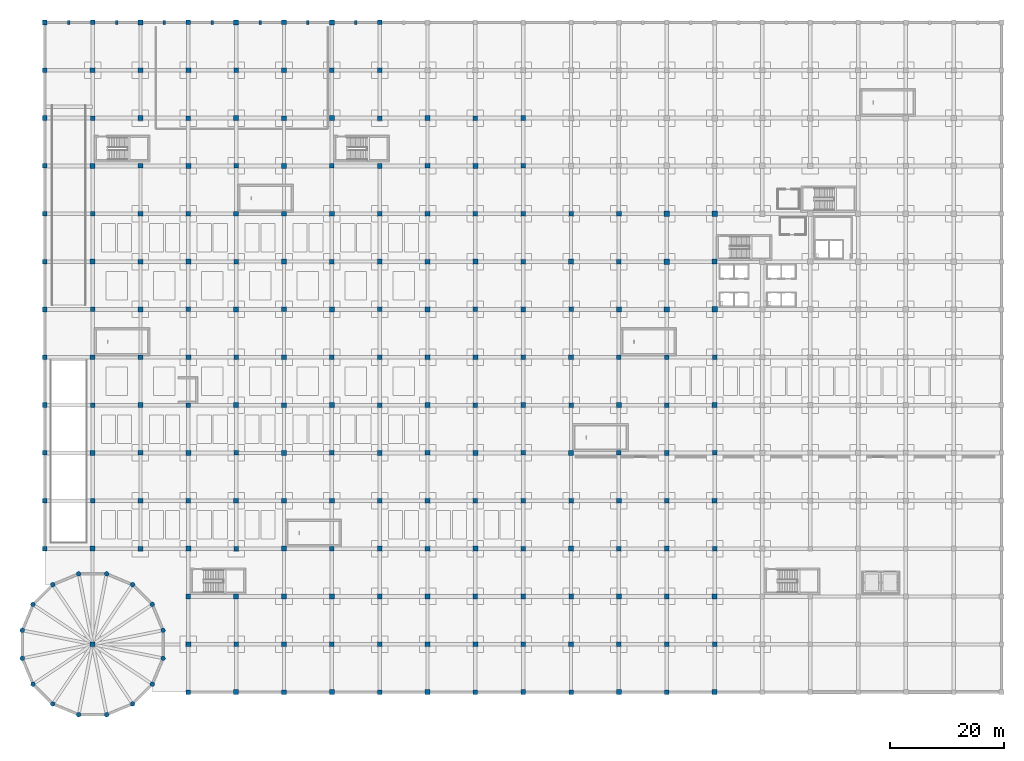
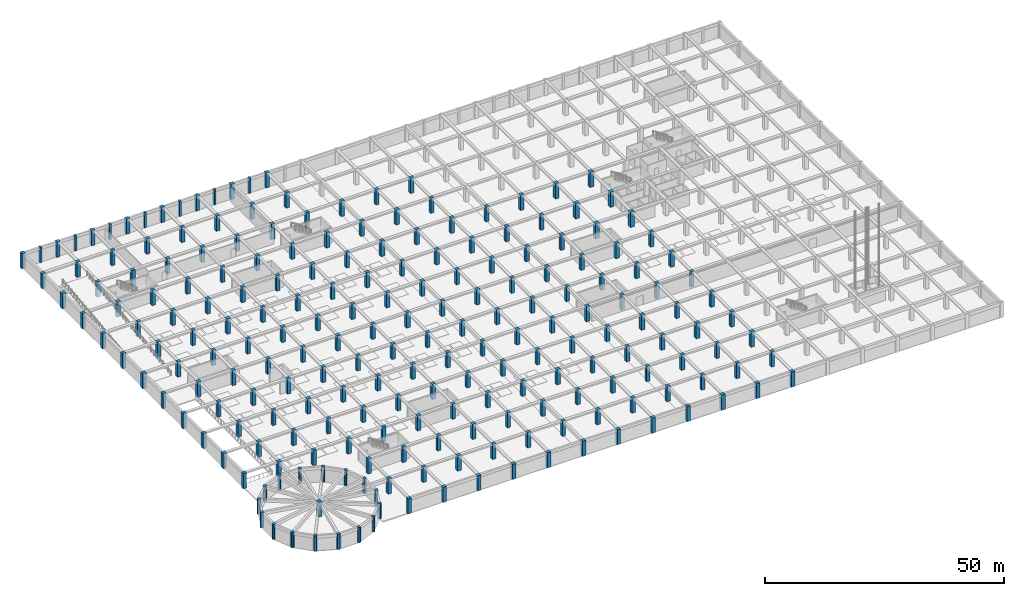
# One storey, part 1 of 32: 218 columns.
"""IFC4 building model written with IfcOpenShell, lengths in metres."""

from ifc_helpers import new_model, si_unit, direction, frame, origin, origin_2d, place, context, subcontext, project, spatial, rectangle, circle, extrude, material, material_profile, profile_set, type_object, element, save


model = new_model("IFC4")

# Units and contexts
model_context = context("Model", 3, precision=1e-05, world=origin(), true_north=direction((0.0, 1.0)))
body_context = subcontext(model_context, "Body", "Model", "MODEL_VIEW")
ifc_project = project(units=[si_unit("LENGTHUNIT", "METRE"), si_unit("AREAUNIT", "SQUARE_METRE"), si_unit("VOLUMEUNIT", "CUBIC_METRE"), si_unit("PLANEANGLEUNIT", "RADIAN"), si_unit("MASSUNIT", "GRAM", prefix="KILO")], contexts=[model_context])

# Site, building, storey
site_placement = place(None, origin())
site = spatial("IfcSite", under=ifc_project, at=site_placement, CompositionType="ELEMENT")
building_placement = place(site_placement, origin())
building = spatial("IfcBuilding", under=site, at=building_placement, Name="Almacenes y Pasaje Nevantli", CompositionType="ELEMENT")
storey_placement = place(building_placement, frame((0.0, 0.0, -4.199951171875)))
storey = spatial("IfcBuildingStorey", under=building, at=storey_placement, Name="B01", CompositionType="ELEMENT", Elevation=-4.199951171875)

# Columns
ifc_material_1 = material(Name="Concrete C45/55", Category="concrete")
ifc_material_profile_1 = material_profile(ifc_material_1, rectangle(XDim=0.800048828125, YDim=0.800048828125, at=origin_2d()), Name="RC-COL-800x800")
ifc_profile_set_1 = profile_set([ifc_material_profile_1], Name="Concrete C45/55")
column_type_1 = type_object("IfcColumnType", Name="COL-RC-800", PredefinedType="COLUMN", material=ifc_profile_set_1)
for number, where, z_axis, x_axis, name in (
    (1, (0.0, 25.199951171875, 0.0), (0.0, 0.0, 1.0), (1.0, 0.0, 0.0), "B01 Reinforced Concrete Column CL-04 #341"),
    (2, (0.0, 42.0, 0.0), (0.0, 0.0, 1.0), (1.0, 0.0, 0.0), "B01 Reinforced Concrete Column CL-04 #343"),
    (3, (0.0, 58.800048828125, 0.0), (0.0, 0.0, 1.0), (1.0, 0.0, 0.0), "B01 Reinforced Concrete Column CL-04 #345"),
    (4, (0.0, 75.60009765625, 0.0), (0.0, 0.0, 1.0), (1.0, 0.0, 0.0), "B01 Reinforced Concrete Column CL-04 #347"),
    (5, (0.0, 92.39990234375, 0.0), (0.0, 0.0, 1.0), (1.0, 0.0, 0.0), "B01 Reinforced Concrete Column CL-04 #349"),
    (6, (0.0, 109.199951171875, 0.0), (0.0, 0.0, 1.0), (1.0, 0.0, 0.0), "B01 Reinforced Concrete Column CL-04 #351"),
    (7, (8.39990234375, 33.60009765625, 0.0), (0.0, 0.0, 1.0), (1.0, 0.0, 0.0), "B01 Reinforced Concrete Column CL-04 #355"),
    (8, (8.39990234375, 50.39990234375, 0.0), (0.0, 0.0, 1.0), (1.0, 0.0, 0.0), "B01 Reinforced Concrete Column CL-04 #357"),
    (9, (8.39990234375, 67.199951171875, 0.0), (0.0, 0.0, 1.0), (1.0, 0.0, 0.0), "B01 Reinforced Concrete Column CL-04 #359"),
    (10, (8.39990234375, 84.0, 0.0), (0.0, 0.0, 1.0), (1.0, 0.0, 0.0), "B01 Reinforced Concrete Column CL-04 #361"),
    (11, (8.39990234375, 100.800048828125, 0.0), (0.0, 0.0, 1.0), (1.0, 0.0, 0.0), "B01 Reinforced Concrete Column CL-04 #363"),
    (12, (8.39990234375, 117.60009765625, 0.0), (0.0, 0.0, 1.0), (1.0, 0.0, 0.0), "B01 Reinforced Concrete Column CL-04 #365"),
    (13, (16.800048828125, 25.199951171875, 0.0), (0.0, 0.0, 1.0), (1.0, 0.0, 0.0), "B01 Reinforced Concrete Column CL-04 #366"),
    (14, (16.800048828125, 42.0, 0.0), (0.0, 0.0, 1.0), (1.0, 0.0, 0.0), "B01 Reinforced Concrete Column CL-04 #368"),
    (15, (16.800048828125, 58.800048828125, 0.0), (0.0, 0.0, 1.0), (1.0, 0.0, 0.0), "B01 Reinforced Concrete Column CL-04 #370"),
    (16, (16.800048828125, 75.60009765625, 0.0), (0.0, 0.0, 1.0), (1.0, 0.0, 0.0), "B01 Reinforced Concrete Column CL-04 #372"),
    (17, (16.800048828125, 92.39990234375, 0.0), (0.0, 0.0, 1.0), (1.0, 0.0, 0.0), "B01 Reinforced Concrete Column CL-04 #374"),
    (18, (16.800048828125, 109.199951171875, 0.0), (0.0, 0.0, 1.0), (1.0, 0.0, 0.0), "B01 Reinforced Concrete Column CL-04 #376"),
    (19, (25.199951171875, 0.0, 0.0), (0.0, 0.0, 1.0), (1.0, 0.0, 0.0), "B01 Reinforced Concrete Column CL-04 #378"),
    (20, (25.199951171875, 16.800048828125, 0.0), (0.0, 0.0, 1.0), (1.0, 0.0, 0.0), "B01 Reinforced Concrete Column CL-04 #380"),
    (21, (25.199951171875, 33.60009765625, 0.0), (0.0, 0.0, 1.0), (1.0, 0.0, 0.0), "B01 Reinforced Concrete Column CL-04 #382"),
    (22, (25.199951171875, 50.39990234375, 0.0), (0.0, 0.0, 1.0), (1.0, 0.0, 0.0), "B01 Reinforced Concrete Column CL-04 #384"),
    (23, (25.199951171875, 67.199951171875, 0.0), (0.0, 0.0, 1.0), (1.0, 0.0, 0.0), "B01 Reinforced Concrete Column CL-04 #386"),
    (24, (25.199951171875, 84.0, 0.0), (0.0, 0.0, 1.0), (1.0, 0.0, 0.0), "B01 Reinforced Concrete Column CL-04 #388"),
    (25, (25.199951171875, 100.800048828125, 0.0), (0.0, 0.0, 1.0), (1.0, 0.0, 0.0), "B01 Reinforced Concrete Column CL-04 #390"),
    (26, (25.199951171875, 117.60009765625, 0.0), (0.0, 0.0, 1.0), (1.0, 0.0, 0.0), "B01 Reinforced Concrete Column CL-04 #392"),
    (27, (33.60009765625, 8.39990234375, 0.0), (0.0, 0.0, 1.0), (1.0, 0.0, 0.0), "B01 Reinforced Concrete Column CL-04 #394"),
    (28, (33.60009765625, 25.199951171875, 0.0), (0.0, 0.0, 1.0), (1.0, 0.0, 0.0), "B01 Reinforced Concrete Column CL-04 #396"),
    (29, (33.60009765625, 42.0, 0.0), (0.0, 0.0, 1.0), (1.0, 0.0, 0.0), "B01 Reinforced Concrete Column CL-04 #398"),
    (30, (33.60009765625, 58.800048828125, 0.0), (0.0, 0.0, 1.0), (1.0, 0.0, 0.0), "B01 Reinforced Concrete Column CL-04 #400"),
    (31, (33.60009765625, 75.60009765625, 0.0), (0.0, 0.0, 1.0), (1.0, 0.0, 0.0), "B01 Reinforced Concrete Column CL-04 #402"),
    (32, (33.60009765625, 92.39990234375, 0.0), (0.0, 0.0, 1.0), (1.0, 0.0, 0.0), "B01 Reinforced Concrete Column CL-04 #404"),
    (33, (33.60009765625, 109.199951171875, 0.0), (0.0, 0.0, 1.0), (1.0, 0.0, 0.0), "B01 Reinforced Concrete Column CL-04 #406"),
    (34, (42.0, 0.0, 0.0), (0.0, 0.0, 1.0), (1.0, 0.0, 0.0), "B01 Reinforced Concrete Column CL-04 #408"),
    (35, (42.0, 16.800048828125, 0.0), (0.0, 0.0, 1.0), (1.0, 0.0, 0.0), "B01 Reinforced Concrete Column CL-04 #410"),
    (36, (42.0, 33.60009765625, 0.0), (0.0, 0.0, 1.0), (1.0, 0.0, 0.0), "B01 Reinforced Concrete Column CL-04 #412"),
    (37, (42.0, 50.39990234375, 0.0), (0.0, 0.0, 1.0), (1.0, 0.0, 0.0), "B01 Reinforced Concrete Column CL-04 #414"),
    (38, (42.0, 67.199951171875, 0.0), (0.0, 0.0, 1.0), (1.0, 0.0, 0.0), "B01 Reinforced Concrete Column CL-04 #416"),
    (39, (42.0, 84.0, 0.0), (0.0, 0.0, 1.0), (1.0, 0.0, 0.0), "B01 Reinforced Concrete Column CL-04 #418"),
    (40, (42.0, 100.800048828125, 0.0), (0.0, 0.0, 1.0), (1.0, 0.0, 0.0), "B01 Reinforced Concrete Column CL-04 #420"),
    (41, (42.0, 117.60009765625, 0.0), (0.0, 0.0, 1.0), (1.0, 0.0, 0.0), "B01 Reinforced Concrete Column CL-04 #422"),
    (42, (50.39990234375, 8.39990234375, 0.0), (0.0, 0.0, 1.0), (1.0, 0.0, 0.0), "B01 Reinforced Concrete Column CL-04 #424"),
    (43, (50.39990234375, 25.199951171875, 0.0), (0.0, 0.0, 1.0), (1.0, 0.0, 0.0), "B01 Reinforced Concrete Column CL-04 #426"),
    (44, (50.39990234375, 42.0, 0.0), (0.0, 0.0, 1.0), (1.0, 0.0, 0.0), "B01 Reinforced Concrete Column CL-04 #428"),
    (45, (50.39990234375, 58.800048828125, 0.0), (0.0, 0.0, 1.0), (1.0, 0.0, 0.0), "B01 Reinforced Concrete Column CL-04 #430"),
    (46, (50.39990234375, 75.60009765625, 0.0), (0.0, 0.0, 1.0), (1.0, 0.0, 0.0), "B01 Reinforced Concrete Column CL-04 #432"),
    (47, (50.39990234375, 92.39990234375, 0.0), (0.0, 0.0, 1.0), (1.0, 0.0, 0.0), "B01 Reinforced Concrete Column CL-04 #434"),
    (48, (50.39990234375, 109.199951171875, 0.0), (0.0, 0.0, 1.0), (1.0, 0.0, 0.0), "B01 Reinforced Concrete Column CL-04 #436"),
    (49, (58.800048828125, 0.0, 0.0), (0.0, 0.0, 1.0), (1.0, 0.0, 0.0), "B01 Reinforced Concrete Column CL-04 #438"),
    (50, (58.800048828125, 16.800048828125, 0.0), (0.0, 0.0, 1.0), (1.0, 0.0, 0.0), "B01 Reinforced Concrete Column CL-04 #440"),
    (51, (58.800048828125, 33.60009765625, 0.0), (0.0, 0.0, 1.0), (1.0, 0.0, 0.0), "B01 Reinforced Concrete Column CL-04 #442"),
    (52, (58.800048828125, 50.39990234375, 0.0), (0.0, 0.0, 1.0), (1.0, 0.0, 0.0), "B01 Reinforced Concrete Column CL-04 #444"),
    (53, (58.800048828125, 67.199951171875, 0.0), (0.0, 0.0, 1.0), (1.0, 0.0, 0.0), "B01 Reinforced Concrete Column CL-04 #446"),
    (54, (58.800048828125, 84.0, 0.0), (0.0, 0.0, 1.0), (1.0, 0.0, 0.0), "B01 Reinforced Concrete Column CL-04 #448"),
    (55, (58.800048828125, 100.800048828125, 0.0), (0.0, 0.0, 1.0), (1.0, 0.0, 0.0), "B01 Reinforced Concrete Column CL-04 #450"),
    (56, (58.800048828125, 117.60009765625, 0.0), (0.0, 0.0, 1.0), (1.0, 0.0, 0.0), "B01 Reinforced Concrete Column CL-04 #452"),
    (57, (67.199951171875, 8.39990234375, 0.0), (0.0, 0.0, 1.0), (1.0, 0.0, 0.0), "B01 Reinforced Concrete Column CL-04 #454"),
    (58, (67.199951171875, 25.199951171875, 0.0), (0.0, 0.0, 1.0), (1.0, 0.0, 0.0), "B01 Reinforced Concrete Column CL-04 #456"),
    (59, (67.199951171875, 42.0, 0.0), (0.0, 0.0, 1.0), (1.0, 0.0, 0.0), "B01 Reinforced Concrete Column CL-04 #458"),
    (60, (67.199951171875, 58.800048828125, 0.0), (0.0, 0.0, 1.0), (1.0, 0.0, 0.0), "B01 Reinforced Concrete Column CL-04 #460"),
    (61, (67.199951171875, 75.60009765625, 0.0), (0.0, 0.0, 1.0), (1.0, 0.0, 0.0), "B01 Reinforced Concrete Column CL-04 #462"),
    (62, (67.199951171875, 92.39990234375, 0.0), (0.0, 0.0, 1.0), (1.0, 0.0, 0.0), "B01 Reinforced Concrete Column CL-04 #464"),
    (63, (75.60009765625, 0.0, 0.0), (0.0, 0.0, 1.0), (1.0, 0.0, 0.0), "B01 Reinforced Concrete Column CL-04 #468"),
    (64, (75.60009765625, 16.800048828125, 0.0), (0.0, 0.0, 1.0), (1.0, 0.0, 0.0), "B01 Reinforced Concrete Column CL-04 #470"),
    (65, (75.60009765625, 33.60009765625, 0.0), (0.0, 0.0, 1.0), (1.0, 0.0, 0.0), "B01 Reinforced Concrete Column CL-04 #472"),
    (66, (75.60009765625, 50.39990234375, 0.0), (0.0, 0.0, 1.0), (1.0, 0.0, 0.0), "B01 Reinforced Concrete Column CL-04 #474"),
    (67, (75.60009765625, 67.199951171875, 0.0), (0.0, 0.0, 1.0), (1.0, 0.0, 0.0), "B01 Reinforced Concrete Column CL-04 #476"),
    (68, (75.60009765625, 84.0, 0.0), (0.0, 0.0, 1.0), (1.0, 0.0, 0.0), "B01 Reinforced Concrete Column CL-04 #478"),
    (69, (75.60009765625, 100.800048828125, 0.0), (0.0, 0.0, 1.0), (1.0, 0.0, 0.0), "B01 Reinforced Concrete Column CL-04 #480"),
    (70, (84.0, 8.39990234375, 0.0), (0.0, 0.0, 1.0), (1.0, 0.0, 0.0), "B01 Reinforced Concrete Column CL-04 #484"),
    (71, (84.0, 25.199951171875, 0.0), (0.0, 0.0, 1.0), (1.0, 0.0, 0.0), "B01 Reinforced Concrete Column CL-04 #486"),
    (72, (84.0, 42.0, 0.0), (0.0, 0.0, 1.0), (1.0, 0.0, 0.0), "B01 Reinforced Concrete Column CL-04 #488"),
    (73, (84.0, 58.800048828125, 0.0), (0.0, 0.0, 1.0), (1.0, 0.0, 0.0), "B01 Reinforced Concrete Column CL-04 #490"),
    (74, (84.0, 75.60009765625, 0.0), (0.0, 0.0, 1.0), (1.0, 0.0, 0.0), "B01 Reinforced Concrete Column CL-04 #492"),
    (75, (84.0, 92.39990234375, 0.0), (0.0, 0.0, 1.0), (1.0, 0.0, 0.0), "B01 Reinforced Concrete Column CL-04 #494"),
    (76, (92.39990234375, 0.0, 0.0), (0.0, 0.0, 1.0), (1.0, 0.0, 0.0), "B01 Reinforced Concrete Column CL-04 #498"),
    (77, (92.39990234375, 16.800048828125, 0.0), (0.0, 0.0, 1.0), (1.0, 0.0, 0.0), "B01 Reinforced Concrete Column CL-04 #500"),
    (78, (92.39990234375, 33.60009765625, 0.0), (0.0, 0.0, 1.0), (1.0, 0.0, 0.0), "B01 Reinforced Concrete Column CL-04 #502"),
    (79, (92.39990234375, 50.39990234375, 0.0), (0.0, 0.0, 1.0), (1.0, 0.0, 0.0), "B01 Reinforced Concrete Column CL-04 #504"),
    (80, (92.39990234375, 67.199951171875, 0.0), (0.0, 0.0, 1.0), (1.0, 0.0, 0.0), "B01 Reinforced Concrete Column CL-04 #506"),
    (81, (92.39990234375, 84.0, 0.0), (0.0, 0.0, 1.0), (1.0, 0.0, 0.0), "B01 Reinforced Concrete Column CL-04 #508"),
    (82, (100.800048828125, 8.39990234375, 0.0), (0.0, 0.0, 1.0), (1.0, 0.0, 0.0), "B01 Reinforced Concrete Column CL-04 #514"),
    (83, (100.800048828125, 25.199951171875, 0.0), (0.0, 0.0, 1.0), (1.0, 0.0, 0.0), "B01 Reinforced Concrete Column CL-04 #516"),
    (84, (100.800048828125, 42.0, 0.0), (0.0, 0.0, 1.0), (1.0, 0.0, 0.0), "B01 Reinforced Concrete Column CL-04 #518"),
    (85, (100.800048828125, 58.800048828125, 0.0), (0.0, 0.0, 1.0), (1.0, 0.0, 0.0), "B01 Reinforced Concrete Column CL-04 #520"),
    (86, (100.800048828125, 75.60009765625, 0.0), (0.0, 0.0, 1.0), (1.0, 0.0, 0.0), "B01 Reinforced Concrete Column CL-04 #522"),
    (87, (109.199951171875, 0.0, 0.0), (0.0, 0.0, 1.0), (1.0, 0.0, 0.0), "B01 Reinforced Concrete Column CL-04 #528"),
    (88, (109.199951171875, 16.800048828125, 0.0), (0.0, 0.0, 1.0), (1.0, 0.0, 0.0), "B01 Reinforced Concrete Column CL-04 #530"),
    (89, (109.199951171875, 33.60009765625, 0.0), (0.0, 0.0, 1.0), (1.0, 0.0, 0.0), "B01 Reinforced Concrete Column CL-04 #532"),
    (90, (109.199951171875, 50.39990234375, 0.0), (0.0, 0.0, 1.0), (1.0, 0.0, 0.0), "B01 Reinforced Concrete Column CL-04 #534"),
    (91, (117.60009765625, 8.39990234375, 0.0), (0.0, 0.0, 1.0), (1.0, 0.0, 0.0), "B01 Reinforced Concrete Column CL-04 #544"),
    (92, (117.60009765625, 25.199951171875, 0.0), (0.0, 0.0, 1.0), (1.0, 0.0, 0.0), "B01 Reinforced Concrete Column CL-04 #546"),
    (93, (117.60009765625, 42.0, 0.0), (0.0, 0.0, 1.0), (1.0, 0.0, 0.0), "B01 Reinforced Concrete Column CL-04 #548"),
    (94, (117.60009765625, 58.800048828125, 0.0), (0.0, 0.0, 1.0), (1.0, 0.0, 0.0), "B01 Reinforced Concrete Column CL-04 #550"),
):
    element("IfcColumn", number, at=place(storey_placement, frame(where, z_axis=z_axis, x_axis=x_axis)), inside=storey, type_object=column_type_1, Name=name, PredefinedType="COLUMN", context=body_context, shape_type="SweptSolid", body=[
        extrude(rectangle(XDim=0.800048828125, YDim=0.800048828125, at=origin_2d()), origin(), (0.0, 0.0, 1.0), 3.8798828125),
    ])
ifc_material_2 = material(Name="Concrete C45/55", Category="concrete")
ifc_material_profile_2 = material_profile(ifc_material_2, rectangle(XDim=0.85009765625, YDim=0.85009765625, at=origin_2d()), Name="RC-COL-850x850")
ifc_profile_set_2 = profile_set([ifc_material_profile_2], Name="Concrete C45/55")
column_type_2 = type_object("IfcColumnType", Name="COL-RC-850", PredefinedType="COLUMN", material=ifc_profile_set_2)
for number, where, z_axis, x_axis, name in (
    (95, (0.0, 33.60009765625, 0.0), (0.0, 0.0, 1.0), (1.0, 0.0, 0.0), "B01 Reinforced Concrete Column CL-03 #342"),
    (96, (0.0, 50.39990234375, 0.0), (0.0, 0.0, 1.0), (1.0, 0.0, 0.0), "B01 Reinforced Concrete Column CL-03 #344"),
    (97, (0.0, 67.199951171875, 0.0), (0.0, 0.0, 1.0), (1.0, 0.0, 0.0), "B01 Reinforced Concrete Column CL-03 #346"),
    (98, (0.0, 84.0, 0.0), (0.0, 0.0, 1.0), (1.0, 0.0, 0.0), "B01 Reinforced Concrete Column CL-03 #348"),
    (99, (0.0, 100.800048828125, 0.0), (0.0, 0.0, 1.0), (1.0, 0.0, 0.0), "B01 Reinforced Concrete Column CL-03 #350"),
    (100, (0.0, 117.60009765625, 0.0), (0.0, 0.0, 1.0), (1.0, 0.0, 0.0), "B01 Reinforced Concrete Column CL-03 #352"),
    (101, (8.39990234375, 8.39990234375, 0.0), (0.0, 0.0, 1.0), (1.0, 0.0, 0.0), "B01 Reinforced Concrete Column CL-03 #353"),
    (102, (8.39990234375, 25.199951171875, 0.0), (0.0, 0.0, 1.0), (1.0, 0.0, 0.0), "B01 Reinforced Concrete Column CL-03 #354"),
    (103, (8.39990234375, 42.0, 0.0), (0.0, 0.0, 1.0), (1.0, 0.0, 0.0), "B01 Reinforced Concrete Column CL-03 #356"),
    (104, (8.39990234375, 58.800048828125, 0.0), (0.0, 0.0, 1.0), (1.0, 0.0, 0.0), "B01 Reinforced Concrete Column CL-03 #358"),
    (105, (8.39990234375, 75.60009765625, 0.0), (0.0, 0.0, 1.0), (1.0, 0.0, 0.0), "B01 Reinforced Concrete Column CL-03 #360"),
    (106, (8.39990234375, 92.39990234375, 0.0), (0.0, 0.0, 1.0), (1.0, 0.0, 0.0), "B01 Reinforced Concrete Column CL-03 #362"),
    (107, (8.39990234375, 109.199951171875, 0.0), (0.0, 0.0, 1.0), (1.0, 0.0, 0.0), "B01 Reinforced Concrete Column CL-03 #364"),
    (108, (16.800048828125, 33.60009765625, 0.0), (0.0, 0.0, 1.0), (1.0, 0.0, 0.0), "B01 Reinforced Concrete Column CL-03 #367"),
    (109, (16.800048828125, 50.39990234375, 0.0), (0.0, 0.0, 1.0), (1.0, 0.0, 0.0), "B01 Reinforced Concrete Column CL-03 #369"),
    (110, (16.800048828125, 67.199951171875, 0.0), (0.0, 0.0, 1.0), (1.0, 0.0, 0.0), "B01 Reinforced Concrete Column CL-03 #371"),
    (111, (16.800048828125, 84.0, 0.0), (0.0, 0.0, 1.0), (1.0, 0.0, 0.0), "B01 Reinforced Concrete Column CL-03 #373"),
    (112, (16.800048828125, 100.800048828125, 0.0), (0.0, 0.0, 1.0), (1.0, 0.0, 0.0), "B01 Reinforced Concrete Column CL-03 #375"),
    (113, (16.800048828125, 117.60009765625, 0.0), (0.0, 0.0, 1.0), (1.0, 0.0, 0.0), "B01 Reinforced Concrete Column CL-03 #377"),
    (114, (25.199951171875, 8.39990234375, 0.0), (0.0, 0.0, 1.0), (1.0, 0.0, 0.0), "B01 Reinforced Concrete Column CL-03 #379"),
    (115, (25.199951171875, 25.199951171875, 0.0), (0.0, 0.0, 1.0), (1.0, 0.0, 0.0), "B01 Reinforced Concrete Column CL-03 #381"),
    (116, (25.199951171875, 42.0, 0.0), (0.0, 0.0, 1.0), (1.0, 0.0, 0.0), "B01 Reinforced Concrete Column CL-03 #383"),
    (117, (25.199951171875, 58.800048828125, 0.0), (0.0, 0.0, 1.0), (1.0, 0.0, 0.0), "B01 Reinforced Concrete Column CL-03 #385"),
    (118, (25.199951171875, 75.60009765625, 0.0), (0.0, 0.0, 1.0), (1.0, 0.0, 0.0), "B01 Reinforced Concrete Column CL-03 #387"),
    (119, (25.199951171875, 92.39990234375, 0.0), (0.0, 0.0, 1.0), (1.0, 0.0, 0.0), "B01 Reinforced Concrete Column CL-03 #389"),
    (120, (25.199951171875, 109.199951171875, 0.0), (0.0, 0.0, 1.0), (1.0, 0.0, 0.0), "B01 Reinforced Concrete Column CL-03 #391"),
    (121, (33.60009765625, 0.0, 0.0), (0.0, 0.0, 1.0), (1.0, 0.0, 0.0), "B01 Reinforced Concrete Column CL-03 #393"),
    (122, (33.60009765625, 16.800048828125, 0.0), (0.0, 0.0, 1.0), (1.0, 0.0, 0.0), "B01 Reinforced Concrete Column CL-03 #395"),
    (123, (33.60009765625, 33.60009765625, 0.0), (0.0, 0.0, 1.0), (1.0, 0.0, 0.0), "B01 Reinforced Concrete Column CL-03 #397"),
    (124, (33.60009765625, 50.39990234375, 0.0), (0.0, 0.0, 1.0), (1.0, 0.0, 0.0), "B01 Reinforced Concrete Column CL-03 #399"),
    (125, (33.60009765625, 67.199951171875, 0.0), (0.0, 0.0, 1.0), (1.0, 0.0, 0.0), "B01 Reinforced Concrete Column CL-03 #401"),
    (126, (33.60009765625, 84.0, 0.0), (0.0, 0.0, 1.0), (1.0, 0.0, 0.0), "B01 Reinforced Concrete Column CL-03 #403"),
    (127, (33.60009765625, 100.800048828125, 0.0), (0.0, 0.0, 1.0), (1.0, 0.0, 0.0), "B01 Reinforced Concrete Column CL-03 #405"),
    (128, (33.60009765625, 117.60009765625, 0.0), (0.0, 0.0, 1.0), (1.0, 0.0, 0.0), "B01 Reinforced Concrete Column CL-03 #407"),
    (129, (42.0, 8.39990234375, 0.0), (0.0, 0.0, 1.0), (1.0, 0.0, 0.0), "B01 Reinforced Concrete Column CL-03 #409"),
    (130, (42.0, 25.199951171875, 0.0), (0.0, 0.0, 1.0), (1.0, 0.0, 0.0), "B01 Reinforced Concrete Column CL-03 #411"),
    (131, (42.0, 42.0, 0.0), (0.0, 0.0, 1.0), (1.0, 0.0, 0.0), "B01 Reinforced Concrete Column CL-03 #413"),
    (132, (42.0, 58.800048828125, 0.0), (0.0, 0.0, 1.0), (1.0, 0.0, 0.0), "B01 Reinforced Concrete Column CL-03 #415"),
    (133, (42.0, 75.60009765625, 0.0), (0.0, 0.0, 1.0), (1.0, 0.0, 0.0), "B01 Reinforced Concrete Column CL-03 #417"),
    (134, (42.0, 92.39990234375, 0.0), (0.0, 0.0, 1.0), (1.0, 0.0, 0.0), "B01 Reinforced Concrete Column CL-03 #419"),
    (135, (42.0, 109.199951171875, 0.0), (0.0, 0.0, 1.0), (1.0, 0.0, 0.0), "B01 Reinforced Concrete Column CL-03 #421"),
    (136, (50.39990234375, 0.0, 0.0), (0.0, 0.0, 1.0), (1.0, 0.0, 0.0), "B01 Reinforced Concrete Column CL-03 #423"),
    (137, (50.39990234375, 16.800048828125, 0.0), (0.0, 0.0, 1.0), (1.0, 0.0, 0.0), "B01 Reinforced Concrete Column CL-03 #425"),
    (138, (50.39990234375, 33.60009765625, 0.0), (0.0, 0.0, 1.0), (1.0, 0.0, 0.0), "B01 Reinforced Concrete Column CL-03 #427"),
    (139, (50.39990234375, 50.39990234375, 0.0), (0.0, 0.0, 1.0), (1.0, 0.0, 0.0), "B01 Reinforced Concrete Column CL-03 #429"),
    (140, (50.39990234375, 67.199951171875, 0.0), (0.0, 0.0, 1.0), (1.0, 0.0, 0.0), "B01 Reinforced Concrete Column CL-03 #431"),
    (141, (50.39990234375, 84.0, 0.0), (0.0, 0.0, 1.0), (1.0, 0.0, 0.0), "B01 Reinforced Concrete Column CL-03 #433"),
    (142, (50.39990234375, 100.800048828125, 0.0), (0.0, 0.0, 1.0), (1.0, 0.0, 0.0), "B01 Reinforced Concrete Column CL-03 #435"),
    (143, (50.39990234375, 117.60009765625, 0.0), (0.0, 0.0, 1.0), (1.0, 0.0, 0.0), "B01 Reinforced Concrete Column CL-03 #437"),
    (144, (58.800048828125, 8.39990234375, 0.0), (0.0, 0.0, 1.0), (1.0, 0.0, 0.0), "B01 Reinforced Concrete Column CL-03 #439"),
    (145, (58.800048828125, 25.199951171875, 0.0), (0.0, 0.0, 1.0), (1.0, 0.0, 0.0), "B01 Reinforced Concrete Column CL-03 #441"),
    (146, (58.800048828125, 42.0, 0.0), (0.0, 0.0, 1.0), (1.0, 0.0, 0.0), "B01 Reinforced Concrete Column CL-03 #443"),
    (147, (58.800048828125, 58.800048828125, 0.0), (0.0, 0.0, 1.0), (1.0, 0.0, 0.0), "B01 Reinforced Concrete Column CL-03 #445"),
    (148, (58.800048828125, 75.60009765625, 0.0), (0.0, 0.0, 1.0), (1.0, 0.0, 0.0), "B01 Reinforced Concrete Column CL-03 #447"),
    (149, (58.800048828125, 92.39990234375, 0.0), (0.0, 0.0, 1.0), (1.0, 0.0, 0.0), "B01 Reinforced Concrete Column CL-03 #449"),
    (150, (58.800048828125, 109.199951171875, 0.0), (0.0, 0.0, 1.0), (1.0, 0.0, 0.0), "B01 Reinforced Concrete Column CL-03 #451"),
    (151, (67.199951171875, 0.0, 0.0), (0.0, 0.0, 1.0), (1.0, 0.0, 0.0), "B01 Reinforced Concrete Column CL-03 #453"),
    (152, (67.199951171875, 16.800048828125, 0.0), (0.0, 0.0, 1.0), (1.0, 0.0, 0.0), "B01 Reinforced Concrete Column CL-03 #455"),
    (153, (67.199951171875, 33.60009765625, 0.0), (0.0, 0.0, 1.0), (1.0, 0.0, 0.0), "B01 Reinforced Concrete Column CL-03 #457"),
    (154, (67.199951171875, 50.39990234375, 0.0), (0.0, 0.0, 1.0), (1.0, 0.0, 0.0), "B01 Reinforced Concrete Column CL-03 #459"),
    (155, (67.199951171875, 67.199951171875, 0.0), (0.0, 0.0, 1.0), (1.0, 0.0, 0.0), "B01 Reinforced Concrete Column CL-03 #461"),
    (156, (67.199951171875, 84.0, 0.0), (0.0, 0.0, 1.0), (1.0, 0.0, 0.0), "B01 Reinforced Concrete Column CL-03 #463"),
    (157, (67.199951171875, 100.800048828125, 0.0), (0.0, 0.0, 1.0), (1.0, 0.0, 0.0), "B01 Reinforced Concrete Column CL-03 #465"),
    (158, (75.60009765625, 8.39990234375, 0.0), (0.0, 0.0, 1.0), (1.0, 0.0, 0.0), "B01 Reinforced Concrete Column CL-03 #469"),
    (159, (75.60009765625, 25.199951171875, 0.0), (0.0, 0.0, 1.0), (1.0, 0.0, 0.0), "B01 Reinforced Concrete Column CL-03 #471"),
    (160, (75.60009765625, 42.0, 0.0), (0.0, 0.0, 1.0), (1.0, 0.0, 0.0), "B01 Reinforced Concrete Column CL-03 #473"),
    (161, (75.60009765625, 58.800048828125, 0.0), (0.0, 0.0, 1.0), (1.0, 0.0, 0.0), "B01 Reinforced Concrete Column CL-03 #475"),
    (162, (75.60009765625, 75.60009765625, 0.0), (0.0, 0.0, 1.0), (1.0, 0.0, 0.0), "B01 Reinforced Concrete Column CL-03 #477"),
    (163, (75.60009765625, 92.39990234375, 0.0), (0.0, 0.0, 1.0), (1.0, 0.0, 0.0), "B01 Reinforced Concrete Column CL-03 #479"),
    (164, (84.0, 0.0, 0.0), (0.0, 0.0, 1.0), (1.0, 0.0, 0.0), "B01 Reinforced Concrete Column CL-03 #483"),
    (165, (84.0, 16.800048828125, 0.0), (0.0, 0.0, 1.0), (1.0, 0.0, 0.0), "B01 Reinforced Concrete Column CL-03 #485"),
    (166, (84.0, 33.60009765625, 0.0), (0.0, 0.0, 1.0), (1.0, 0.0, 0.0), "B01 Reinforced Concrete Column CL-03 #487"),
    (167, (84.0, 50.39990234375, 0.0), (0.0, 0.0, 1.0), (1.0, 0.0, 0.0), "B01 Reinforced Concrete Column CL-03 #489"),
    (168, (84.0, 67.199951171875, 0.0), (0.0, 0.0, 1.0), (1.0, 0.0, 0.0), "B01 Reinforced Concrete Column CL-03 #491"),
    (169, (84.0, 84.0, 0.0), (0.0, 0.0, 1.0), (1.0, 0.0, 0.0), "B01 Reinforced Concrete Column CL-03 #493"),
    (170, (84.0, 100.800048828125, 0.0), (0.0, 0.0, 1.0), (1.0, 0.0, 0.0), "B01 Reinforced Concrete Column CL-03 #495"),
    (171, (92.39990234375, 8.39990234375, 0.0), (0.0, 0.0, 1.0), (1.0, 0.0, 0.0), "B01 Reinforced Concrete Column CL-03 #499"),
    (172, (92.39990234375, 25.199951171875, 0.0), (0.0, 0.0, 1.0), (1.0, 0.0, 0.0), "B01 Reinforced Concrete Column CL-03 #501"),
    (173, (92.39990234375, 42.0, 0.0), (0.0, 0.0, 1.0), (1.0, 0.0, 0.0), "B01 Reinforced Concrete Column CL-03 #503"),
    (174, (92.39990234375, 58.800048828125, 0.0), (0.0, 0.0, 1.0), (1.0, 0.0, 0.0), "B01 Reinforced Concrete Column CL-03 #505"),
    (175, (92.39990234375, 75.60009765625, 0.0), (0.0, 0.0, 1.0), (1.0, 0.0, 0.0), "B01 Reinforced Concrete Column CL-03 #507"),
    (176, (100.800048828125, 0.0, 0.0), (0.0, 0.0, 1.0), (1.0, 0.0, 0.0), "B01 Reinforced Concrete Column CL-03 #513"),
    (177, (100.800048828125, 16.800048828125, 0.0), (0.0, 0.0, 1.0), (1.0, 0.0, 0.0), "B01 Reinforced Concrete Column CL-03 #515"),
    (178, (100.800048828125, 33.60009765625, 0.0), (0.0, 0.0, 1.0), (1.0, 0.0, 0.0), "B01 Reinforced Concrete Column CL-03 #517"),
    (179, (100.800048828125, 50.39990234375, 0.0), (0.0, 0.0, 1.0), (1.0, 0.0, 0.0), "B01 Reinforced Concrete Column CL-03 #519"),
    (180, (100.800048828125, 67.199951171875, 0.0), (0.0, 0.0, 1.0), (1.0, 0.0, 0.0), "B01 Reinforced Concrete Column CL-03 #521"),
    (181, (100.800048828125, 84.0, 0.0), (0.0, 0.0, 1.0), (1.0, 0.0, 0.0), "B01 Reinforced Concrete Column CL-03 #523"),
    (182, (109.199951171875, 8.39990234375, 0.0), (0.0, 0.0, 1.0), (1.0, 0.0, 0.0), "B01 Reinforced Concrete Column CL-03 #529"),
    (183, (109.199951171875, 25.199951171875, 0.0), (0.0, 0.0, 1.0), (1.0, 0.0, 0.0), "B01 Reinforced Concrete Column CL-03 #531"),
    (184, (109.199951171875, 42.0, 0.0), (0.0, 0.0, 1.0), (1.0, 0.0, 0.0), "B01 Reinforced Concrete Column CL-03 #533"),
    (185, (109.199951171875, 58.800048828125, 0.0), (0.0, 0.0, 1.0), (1.0, 0.0, 0.0), "B01 Reinforced Concrete Column CL-03 #535"),
    (186, (117.60009765625, 0.0, 0.0), (0.0, 0.0, 1.0), (1.0, 0.0, 0.0), "B01 Reinforced Concrete Column CL-03 #543"),
    (187, (117.60009765625, 16.800048828125, 0.0), (0.0, 0.0, 1.0), (1.0, 0.0, 0.0), "B01 Reinforced Concrete Column CL-03 #545"),
    (188, (117.60009765625, 33.60009765625, 0.0), (0.0, 0.0, 1.0), (1.0, 0.0, 0.0), "B01 Reinforced Concrete Column CL-03 #547"),
    (189, (117.60009765625, 50.39990234375, 0.0), (0.0, 0.0, 1.0), (1.0, 0.0, 0.0), "B01 Reinforced Concrete Column CL-03 #549"),
):
    element("IfcColumn", number, at=place(storey_placement, frame(where, z_axis=z_axis, x_axis=x_axis)), inside=storey, type_object=column_type_2, Name=name, PredefinedType="COLUMN", context=body_context, shape_type="SweptSolid", body=[
        extrude(rectangle(XDim=0.85009765625, YDim=0.85009765625, at=origin_2d()), origin(), (0.0, 0.0, 1.0), 3.8798828125),
    ])
ifc_material_3 = material(Name="Concrete C45/55", Category="concrete")
ifc_material_profile_3 = material_profile(ifc_material_3, rectangle(XDim=0.89990234375, YDim=0.89990234375, at=origin_2d()), Name="RC-COL-900x900")
ifc_profile_set_3 = profile_set([ifc_material_profile_3], Name="Concrete C45/55")
column_type_3 = type_object("IfcColumnType", Name="COL-RC-900", PredefinedType="COLUMN", material=ifc_profile_set_3)
for number, where, z_axis, x_axis, name in (
    (190, (109.199951171875, 67.199951171875, 0.0), (0.0, 0.0, 1.0), (1.0, 0.0, 0.0), "B01 Reinforced Concrete Column CL-02 #536"),
    (191, (109.199951171875, 84.0, 0.0), (0.0, 0.0, 1.0), (1.0, 0.0, 0.0), "B01 Reinforced Concrete Column CL-02 #538"),
    (192, (117.60009765625, 75.60009765625, 0.0), (0.0, 0.0, 1.0), (1.0, 0.0, 0.0), "B01 Reinforced Concrete Column CL-02 #552"),
):
    element("IfcColumn", number, at=place(storey_placement, frame(where, z_axis=z_axis, x_axis=x_axis)), inside=storey, type_object=column_type_3, Name=name, PredefinedType="COLUMN", context=body_context, shape_type="SweptSolid", body=[
        extrude(rectangle(XDim=0.89990234375, YDim=0.89990234375, at=origin_2d()), origin(), (0.0, 0.0, 1.0), 3.8798828125),
    ])
ifc_material_4 = material(Name="Concrete C45/55", Category="concrete")
ifc_material_profile_4 = material_profile(ifc_material_4, rectangle(XDim=0.949951171875, YDim=0.949951171875, at=origin_2d()), Name="RC-COL-950x950")
ifc_profile_set_4 = profile_set([ifc_material_profile_4], Name="Concrete C45/55")
column_type_4 = type_object("IfcColumnType", Name="COL-RC-950", PredefinedType="COLUMN", material=ifc_profile_set_4)
for number, where, z_axis, x_axis, name in (
    (193, (109.199951171875, 75.60009765625, 0.0), (0.0, 0.0, 1.0), (1.0, 0.0, 0.0), "B01 Reinforced Concrete Column CL-01 #537"),
    (194, (117.60009765625, 67.199951171875, 0.0), (0.0, 0.0, 1.0), (1.0, 0.0, 0.0), "B01 Reinforced Concrete Column CL-01 #551"),
    (195, (117.60009765625, 84.0, 0.0), (0.0, 0.0, 1.0), (1.0, 0.0, 0.0), "B01 Reinforced Concrete Column CL-01 #553"),
):
    element("IfcColumn", number, at=place(storey_placement, frame(where, z_axis=z_axis, x_axis=x_axis)), inside=storey, type_object=column_type_4, Name=name, PredefinedType="COLUMN", context=body_context, shape_type="SweptSolid", body=[
        extrude(rectangle(XDim=0.949951171875, YDim=0.949951171875, at=origin_2d()), origin(), (0.0, 0.0, 1.0), 3.8798828125),
    ])
ifc_material_5 = material(Name="Concrete C45/55", Category="concrete")
ifc_material_profile_5 = material_profile(ifc_material_5, circle(Radius=0.39990234375, at=origin_2d()), Name="RC-COL-D800")
ifc_profile_set_5 = profile_set([ifc_material_profile_5], Name="Concrete C45/55")
column_type_5 = type_object("IfcColumnType", Name="COL-RC-D800", PredefinedType="COLUMN", material=ifc_profile_set_5)
for number, where, z_axis, x_axis, name in (
    (196, (20.7578125, 10.858154296875, 0.0), (0.0, 0.0, 1.0), (1.0, 0.0, 0.0), "B01 Corner Rotunda Circular Column CR-01"),
    (197, (18.87646484375, 15.400146484375, 0.0), (0.0, 0.0, 1.0), (1.0, 0.0, 0.0), "B01 Corner Rotunda Circular Column CR-02"),
    (198, (15.400146484375, 18.87646484375, 0.0), (0.0, 0.0, 1.0), (1.0, 0.0, 0.0), "B01 Corner Rotunda Circular Column CR-03"),
    (199, (10.858154296875, 20.7578125, 0.0), (0.0, 0.0, 1.0), (1.0, 0.0, 0.0), "B01 Corner Rotunda Circular Column CR-04"),
    (200, (5.94189453125, 20.7578125, 0.0), (0.0, 0.0, 1.0), (1.0, 0.0, 0.0), "B01 Corner Rotunda Circular Column CR-05"),
    (201, (1.39990234375, 18.87646484375, 0.0), (0.0, 0.0, 1.0), (1.0, 0.0, 0.0), "B01 Corner Rotunda Circular Column CR-06"),
    (202, (-2.076416015625, 15.400146484375, 0.0), (0.0, 0.0, 1.0), (1.0, 0.0, 0.0), "B01 Corner Rotunda Circular Column CR-07"),
    (203, (-3.9580078125, 10.858154296875, 0.0), (0.0, 0.0, 1.0), (1.0, 0.0, 0.0), "B01 Corner Rotunda Circular Column CR-08"),
    (204, (-3.9580078125, 5.94189453125, 0.0), (0.0, 0.0, 1.0), (1.0, 0.0, 0.0), "B01 Corner Rotunda Circular Column CR-09"),
    (205, (-2.076416015625, 1.39990234375, 0.0), (0.0, 0.0, 1.0), (1.0, 0.0, 0.0), "B01 Corner Rotunda Circular Column CR-10"),
    (206, (1.39990234375, -2.076416015625, 0.0), (0.0, 0.0, 1.0), (1.0, 0.0, 0.0), "B01 Corner Rotunda Circular Column CR-11"),
    (207, (5.94189453125, -3.9580078125, 0.0), (0.0, 0.0, 1.0), (1.0, 0.0, 0.0), "B01 Corner Rotunda Circular Column CR-12"),
    (208, (10.858154296875, -3.9580078125, 0.0), (0.0, 0.0, 1.0), (1.0, 0.0, 0.0), "B01 Corner Rotunda Circular Column CR-13"),
    (209, (15.400146484375, -2.076416015625, 0.0), (0.0, 0.0, 1.0), (1.0, 0.0, 0.0), "B01 Corner Rotunda Circular Column CR-14"),
    (210, (18.87646484375, 1.39990234375, 0.0), (0.0, 0.0, 1.0), (1.0, 0.0, 0.0), "B01 Corner Rotunda Circular Column CR-15"),
    (211, (20.7578125, 5.94189453125, 0.0), (0.0, 0.0, 1.0), (1.0, 0.0, 0.0), "B01 Corner Rotunda Circular Column CR-16"),
):
    element("IfcColumn", number, at=place(storey_placement, frame(where, z_axis=z_axis, x_axis=x_axis)), inside=storey, type_object=column_type_5, Name=name, PredefinedType="COLUMN", context=body_context, shape_type="SweptSolid", body=[
        extrude(circle(Radius=0.39990234375, at=origin_2d()), origin(), (0.0, 0.0, 1.0), 3.8798828125),
    ])
ifc_material_6 = material(Name="Concrete C45/55", Category="concrete")
ifc_material_profile_6 = material_profile(ifc_material_6, rectangle(XDim=0.449951171875, YDim=0.64990234375, at=origin_2d()), Name="RC-PIL-450x650")
ifc_profile_set_6 = profile_set([ifc_material_profile_6], Name="Concrete C45/55")
column_type_6 = type_object("IfcColumnType", Name="PIL-RC-450x650", PredefinedType="PILASTER", material=ifc_profile_set_6)
for number, where, z_axis, x_axis, name in (
    (212, (4.199951171875, 117.60009765625, 0.0), (0.0, 0.0, 1.0), (1.0, 0.0, 0.0), "B01 North Boulevard Portales Pilaster #1"),
    (213, (12.60009765625, 117.60009765625, 0.0), (0.0, 0.0, 1.0), (1.0, 0.0, 0.0), "B01 North Boulevard Portales Pilaster #2"),
    (214, (21.0, 117.60009765625, 0.0), (0.0, 0.0, 1.0), (1.0, 0.0, 0.0), "B01 North Boulevard Portales Pilaster #3"),
    (215, (29.39990234375, 117.60009765625, 0.0), (0.0, 0.0, 1.0), (1.0, 0.0, 0.0), "B01 North Boulevard Portales Pilaster #4"),
    (216, (37.800048828125, 117.60009765625, 0.0), (0.0, 0.0, 1.0), (1.0, 0.0, 0.0), "B01 North Boulevard Portales Pilaster #5"),
    (217, (46.199951171875, 117.60009765625, 0.0), (0.0, 0.0, 1.0), (1.0, 0.0, 0.0), "B01 North Boulevard Portales Pilaster #6"),
    (218, (54.60009765625, 117.60009765625, 0.0), (0.0, 0.0, 1.0), (1.0, 0.0, 0.0), "B01 North Boulevard Portales Pilaster #7"),
):
    element("IfcColumn", number, at=place(storey_placement, frame(where, z_axis=z_axis, x_axis=x_axis)), inside=storey, type_object=column_type_6, Name=name, PredefinedType="PILASTER", context=body_context, shape_type="SweptSolid", body=[
        extrude(rectangle(XDim=0.449951171875, YDim=0.64990234375, at=origin_2d()), origin(), (0.0, 0.0, 1.0), 3.8798828125),
    ])

save(model, "model.ifc")
